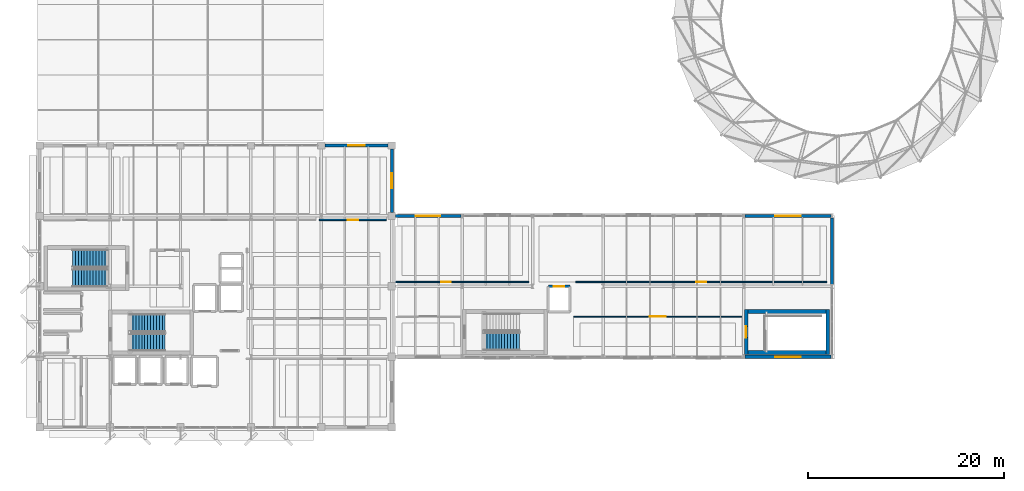
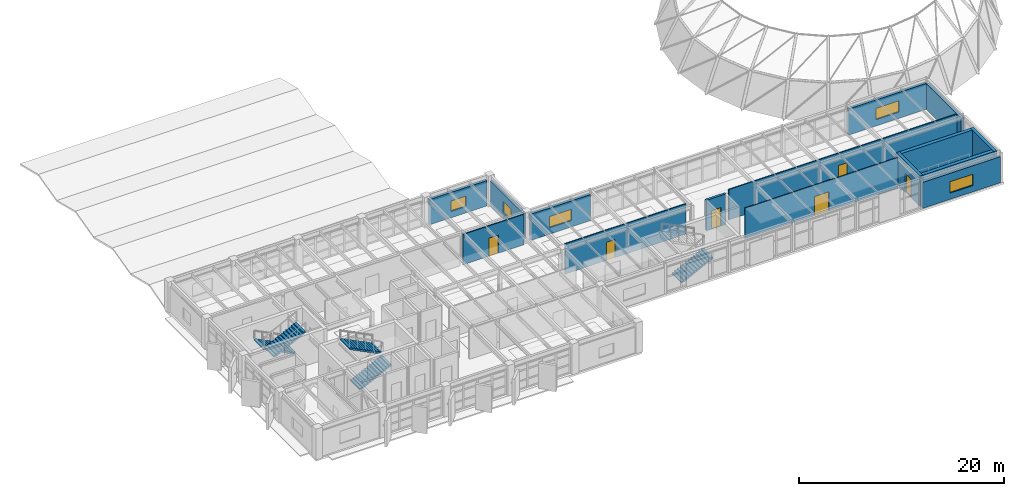
# One storey, part 33 of 48: 15 walls, 6 doors, 5 stair flights, 5 windows, 11 openings, 3 elements without a shape of their own.
"""IFC4 building model written with IfcOpenShell, lengths in metres."""

from ifc_helpers import new_model, si_unit, direction, frame, frame_2d, origin, place, context, subcontext, project, spatial, polyline, rectangle, outline, extrude, material, layer, layer_set, type_object, element, fill, aggregate, save


model = new_model("IFC4")

# Units and contexts
model_context = context("Model", 3, precision=1e-05, world=origin(), true_north=direction((0.0, 1.0)))
body_context = subcontext(model_context, "Body", "Model", "MODEL_VIEW")
ifc_project = project(units=[si_unit("LENGTHUNIT", "METRE"), si_unit("AREAUNIT", "SQUARE_METRE"), si_unit("VOLUMEUNIT", "CUBIC_METRE"), si_unit("PLANEANGLEUNIT", "RADIAN"), si_unit("MASSUNIT", "GRAM", prefix="KILO")], contexts=[model_context])

# Site, building, storey
site_placement = place(None, origin())
site = spatial("IfcSite", under=ifc_project, at=site_placement, CompositionType="ELEMENT")
building_placement = place(site_placement, origin())
building = spatial("IfcBuilding", under=site, at=building_placement, Name="Kandorven Conservatory and Botanical Research Centre", CompositionType="ELEMENT")
storey_placement = place(building_placement, frame((0.0, 0.0, 13.199951171875)))
storey = spatial("IfcBuildingStorey", under=building, at=storey_placement, Name="L03", CompositionType="ELEMENT", Elevation=13.199951171875)

# Walls
ifc_material_1 = material(Name="Concrete C40/50 (M50)", Category="concrete")
ifc_layer_1 = layer(ifc_material_1, 0.39990234375)
ifc_layer_set_1 = layer_set([ifc_layer_1], Name="Concrete C40/50 (M50)")
wall_type_1 = type_object("IfcWallType", Name="Wall_CW-RC-1", PredefinedType="SHEAR", material=ifc_layer_set_1)
for number, where, z_axis, x_axis, name in (
    (1, (78.39990234375, 13.64501953125, 0.0), (0.0, 0.0, 1.0), (1.0, 0.0, 0.0), "Core stair shear wall CW-RC-1 ST-V3B L03 side A"),
    (2, (78.39990234375, 17.844970703125, 0.0), (0.0, 0.0, 1.0), (1.0, 0.0, 0.0), "Core stair shear wall CW-RC-1 ST-V3B L03 side B"),
):
    element("IfcWall", number, at=place(storey_placement, frame(where, z_axis=z_axis, x_axis=x_axis)), inside=storey, type_object=wall_type_1, Name=name, PredefinedType="SHEAR", context=body_context, shape_type="SweptSolid", body=[
        extrude(rectangle(XDim=7.97998046875, YDim=0.39990234375, at=frame_2d((3.989990234375, 0.0))), origin(), (0.0, 0.0, 1.0), 3.635009765625),
    ])

# Wall, opening, door
ifc_material_2 = material(Name="Concrete C40/50 (M50)", Category="concrete")
ifc_layer_2 = layer(ifc_material_2, 0.35009765625)
ifc_layer_set_2 = layer_set([ifc_layer_2], Name="Concrete C40/50 (M50)")
wall_type_2 = type_object("IfcWallType", Name="Wall_CW-RC-2", PredefinedType="SHEAR", material=ifc_layer_set_2)
wall_1_placement = place(storey_placement, frame((78.22509765625, 13.449951171875, 0.0), z_axis=(0.0, 0.0, 1.0), x_axis=(0.0, 1.0, 0.0)))
wall_1 = element("IfcWall", 3, at=wall_1_placement, inside=storey, type_object=wall_type_2, Name="Core stair shear wall CW-RC-2 ST-V3B L03 entry", PredefinedType="SHEAR", context=body_context, shape_type="SweptSolid", body=[
    extrude(rectangle(XDim=4.590087890625, YDim=0.35009765625, at=frame_2d((2.294921875, 0.0))), origin(), (0.0, 0.0, 1.0), 3.635009765625),
])
opening_1_placement = place(wall_1_placement, frame((1.719970703125, 0.0, 0.0)))
opening_1 = element("IfcOpeningElement", 4, at=opening_1_placement, cuts=wall_1, Name="Opening FD-2", PredefinedType="OPENING", context=body_context, shape_type="SweptSolid", body=[
    extrude(rectangle(XDim=1.14990234375, YDim=2.199951171875, at=frame_2d((0.574951171875, 1.10009765625))), frame((0.0, 0.18505859375, 0.0), z_axis=(0.0, -1.0, 0.0), x_axis=(1.0, 0.0, 0.0)), (0.0, 0.0, 1.0), 0.3701171875),
])
ifc_material_3 = material(Name="Galvanised hollow steel fire door assembly", Category="steel")
door_type_1 = type_object("IfcDoorType", Name="Door_FD-2", OperationType="NOTDEFINED", PredefinedType="DOOR", material=ifc_material_3)
door_1_placement = place(opening_1_placement, origin())
door_1 = element("IfcDoor", 5, at=door_1_placement, inside=storey, type_object=door_type_1, Name="Exit stair fire door FD-2 ST-V3B L03", OperationType="SINGLE_SWING_RIGHT", OverallHeight=2.199951171875, OverallWidth=1.14990234375, PredefinedType="DOOR", context=body_context, shape_type="SweptSolid", body=[
    extrude(rectangle(XDim=1.14990234375, YDim=2.199951171875, at=frame_2d((0.574951171875, 1.10009765625))), frame((0.0, 0.02490234375, 0.0), z_axis=(0.0, -1.0, 0.0), x_axis=(1.0, 0.0, 0.0)), (0.0, 0.0, 1.0), 0.050048828125),
])
fill(opening_1, door_1)

# Wall
wall_2_placement = place(storey_placement, frame((86.554931640625, 13.449951171875, 0.0), z_axis=(0.0, 0.0, 1.0), x_axis=(0.0, 1.0, 0.0)))
element("IfcWall", 6, at=wall_2_placement, inside=storey, type_object=wall_type_2, Name="Core stair shear wall CW-RC-2 ST-V3B L03 far", PredefinedType="SHEAR", context=body_context, shape_type="SweptSolid", body=[
    extrude(rectangle(XDim=4.590087890625, YDim=0.35009765625, at=frame_2d((2.294921875, 0.0))), origin(), (0.0, 0.0, 1.0), 3.635009765625),
])

# Wall, opening, door
wall_3_placement = place(storey_placement, frame((58.0, 20.39990234375, 0.0), z_axis=(0.0, 0.0, 1.0), x_axis=(1.0, 0.0, 0.0)))
wall_3 = element("IfcWall", 7, at=wall_3_placement, inside=storey, type_object=wall_type_2, Name="Lift shaft wall VL-1 L03 N", PredefinedType="SHEAR", context=body_context, shape_type="SweptSolid", body=[
    extrude(rectangle(XDim=2.199951171875, YDim=0.25, at=frame_2d((1.10009765625, 0.0))), origin(), (0.0, 0.0, 1.0), 3.635009765625),
])
opening_2_placement = place(wall_3_placement, frame((0.550048828125, 0.0, 0.0)))
opening_2 = element("IfcOpeningElement", 8, at=opening_2_placement, cuts=wall_3, Name="Opening LD-01", PredefinedType="OPENING", context=body_context, shape_type="SweptSolid", body=[
    extrude(rectangle(XDim=1.10009765625, YDim=2.199951171875, at=frame_2d((0.550048828125, 1.10009765625))), frame((0.0, 0.135009765625, 0.0), z_axis=(0.0, -1.0, 0.0), x_axis=(1.0, 0.0, 0.0)), (0.0, 0.0, 1.0), 0.27001953125),
])
ifc_material_4 = material(Name="Anodised aluminium sliding landing door", Category="aluminium")
door_type_2 = type_object("IfcDoorType", Name="Door_LD-01", OperationType="DOUBLE_DOOR_SLIDING", PredefinedType="DOOR", material=ifc_material_4)
door_2_placement = place(opening_2_placement, origin())
door_2 = element("IfcDoor", 9, at=door_2_placement, inside=storey, type_object=door_type_2, Name="Lift landing sliding door LD-01 (VL-1 L03)", OperationType="DOUBLE_DOOR_SLIDING", OverallHeight=2.199951171875, OverallWidth=1.10009765625, PredefinedType="DOOR", context=body_context, shape_type="SweptSolid", body=[
    extrude(rectangle(XDim=1.10009765625, YDim=2.199951171875, at=frame_2d((0.550048828125, 1.10009765625))), frame((0.0, 0.02490234375, 0.0), z_axis=(0.0, -1.0, 0.0), x_axis=(1.0, 0.0, 0.0)), (0.0, 0.0, 1.0), 0.050048828125),
])
fill(opening_2, door_2)

# Wall, opening, window
ifc_material_5 = material(Name="Concrete C32/40 (M40)", Category="concrete")
ifc_layer_3 = layer(ifc_material_5, 0.340087890625)
ifc_layer_set_3 = layer_set([ifc_layer_3], Name="Concrete C32/40 (M40)")
wall_type_3 = type_object("IfcWallType", Name="Wall_EW-02", PredefinedType="STANDARD", material=ifc_layer_set_3)
wall_4_placement = place(storey_placement, frame((42.375, 27.60009765625, 0.0), z_axis=(0.0, 0.0, 1.0), x_axis=(1.0, 0.0, 0.0)))
wall_4 = element("IfcWall", 10, at=wall_4_placement, inside=storey, type_object=wall_type_3, Name="Visitor centre concrete wall EW-02 N L03", PredefinedType="STANDARD", context=body_context, shape_type="SweptSolid", body=[
    extrude(rectangle(XDim=6.699951171875, YDim=0.340087890625, at=frame_2d((3.35009765625, 0.0))), origin(), (0.0, 0.0, 1.0), 3.10009765625),
])
opening_3_placement = place(wall_4_placement, frame((2.10009765625, 0.0, 0.75)))
opening_3 = element("IfcOpeningElement", 11, at=opening_3_placement, cuts=wall_4, Name="Opening W-38", PredefinedType="OPENING", context=body_context, shape_type="SweptSolid", body=[
    extrude(rectangle(XDim=2.5, YDim=1.35009765625, at=frame_2d((1.25, 0.675048828125))), frame((0.0, 0.179931640625, 0.0), z_axis=(0.0, -1.0, 0.0), x_axis=(1.0, 0.0, 0.0)), (0.0, 0.0, 1.0), 0.360107421875),
])
ifc_material_6 = material(Name="Double-glazed solar-control low-E glass", Category="glass")
window_type_1 = type_object("IfcWindowType", Name="Win_W-38", PartitioningType="DOUBLE_PANEL_VERTICAL", PredefinedType="WINDOW", material=ifc_material_6)
window_1_placement = place(opening_3_placement, origin())
window_1 = element("IfcWindow", 12, at=window_1_placement, inside=storey, type_object=window_type_1, Name="Visitor wing deep-reveal window W-38", OverallHeight=1.35009765625, OverallWidth=2.5, PartitioningType="SINGLE_PANEL", PredefinedType="WINDOW", context=body_context, shape_type="SweptSolid", body=[
    extrude(rectangle(XDim=2.5, YDim=1.35009765625, at=frame_2d((1.25, 0.675048828125))), frame((0.0, 0.030029296875, 0.0), z_axis=(0.0, -1.0, 0.0), x_axis=(1.0, 0.0, 0.0)), (0.0, 0.0, 1.0), 0.06005859375),
])
fill(opening_3, window_1)

ifc_material_7 = material(Name="Concrete C32/40 (M40)", Category="concrete")
ifc_layer_4 = layer(ifc_material_7, 0.320068359375)
ifc_layer_set_4 = layer_set([ifc_layer_4], Name="Concrete C32/40 (M40)")
wall_type_4 = type_object("IfcWallType", Name="Wall_EW-03", PredefinedType="STANDARD", material=ifc_layer_set_4)
wall_5_placement = place(storey_placement, frame((78.125, 13.199951171875, 0.0), z_axis=(0.0, 0.0, 1.0), x_axis=(1.0, 0.0, 0.0)))
wall_5 = element("IfcWall", 13, at=wall_5_placement, inside=storey, type_object=wall_type_4, Name="Visitor centre concrete wall EW-03 S L03", PredefinedType="STANDARD", context=body_context, shape_type="SweptSolid", body=[
    extrude(rectangle(XDim=8.75, YDim=0.320068359375, at=frame_2d((4.375, 0.0))), origin(), (0.0, 0.0, 1.0), 3.10009765625),
])
opening_4_placement = place(wall_5_placement, frame((3.074951171875, 0.0, 0.75)))
opening_4 = element("IfcOpeningElement", 14, at=opening_4_placement, cuts=wall_5, Name="Opening W-25", PredefinedType="OPENING", context=body_context, shape_type="SweptSolid", body=[
    extrude(rectangle(XDim=2.60009765625, YDim=1.35009765625, at=frame_2d((1.300048828125, 0.675048828125))), frame((0.0, 0.169921875, 0.0), z_axis=(0.0, -1.0, 0.0), x_axis=(1.0, 0.0, 0.0)), (0.0, 0.0, 1.0), 0.340087890625),
])
ifc_material_8 = material(Name="Double-glazed solar-control low-E glass", Category="glass")
window_type_2 = type_object("IfcWindowType", Name="Win_W-25", PartitioningType="DOUBLE_PANEL_VERTICAL", PredefinedType="WINDOW", material=ifc_material_8)
window_2_placement = place(opening_4_placement, origin())
window_2 = element("IfcWindow", 15, at=window_2_placement, inside=storey, type_object=window_type_2, Name="Visitor wing deep-reveal window W-25", OverallHeight=1.35009765625, OverallWidth=2.60009765625, PartitioningType="SINGLE_PANEL", PredefinedType="WINDOW", context=body_context, shape_type="SweptSolid", body=[
    extrude(rectangle(XDim=2.60009765625, YDim=1.35009765625, at=frame_2d((1.300048828125, 0.675048828125))), frame((0.0, 0.030029296875, 0.0), z_axis=(0.0, -1.0, 0.0), x_axis=(1.0, 0.0, 0.0)), (0.0, 0.0, 1.0), 0.06005859375),
])
fill(opening_4, window_2)

wall_6_placement = place(storey_placement, frame((78.125, 27.60009765625, 0.0), z_axis=(0.0, 0.0, 1.0), x_axis=(1.0, 0.0, 0.0)))
wall_6 = element("IfcWall", 16, at=wall_6_placement, inside=storey, type_object=wall_type_4, Name="Visitor centre concrete wall EW-03 N L03", PredefinedType="STANDARD", context=body_context, shape_type="SweptSolid", body=[
    extrude(rectangle(XDim=8.75, YDim=0.320068359375, at=frame_2d((4.375, 0.0))), origin(), (0.0, 0.0, 1.0), 3.10009765625),
])
opening_5_placement = place(wall_6_placement, frame((3.074951171875, 0.0, 0.75)))
opening_5 = element("IfcOpeningElement", 17, at=opening_5_placement, cuts=wall_6, Name="Opening W-25", PredefinedType="OPENING", context=body_context, shape_type="SweptSolid", body=[
    extrude(rectangle(XDim=2.60009765625, YDim=1.35009765625, at=frame_2d((1.300048828125, 0.675048828125))), frame((0.0, 0.169921875, 0.0), z_axis=(0.0, -1.0, 0.0), x_axis=(1.0, 0.0, 0.0)), (0.0, 0.0, 1.0), 0.340087890625),
])
window_3_placement = place(opening_5_placement, origin())
window_3 = element("IfcWindow", 18, at=window_3_placement, inside=storey, type_object=window_type_2, Name="Visitor wing deep-reveal window W-25", OverallHeight=1.35009765625, OverallWidth=2.60009765625, PartitioningType="SINGLE_PANEL", PredefinedType="WINDOW", context=body_context, shape_type="SweptSolid", body=[
    extrude(rectangle(XDim=2.60009765625, YDim=1.35009765625, at=frame_2d((1.300048828125, 0.675048828125))), frame((0.0, 0.030029296875, 0.0), z_axis=(0.0, -1.0, 0.0), x_axis=(1.0, 0.0, 0.0)), (0.0, 0.0, 1.0), 0.06005859375),
])
fill(opening_5, window_3)

# Wall
wall_7_placement = place(storey_placement, frame((87.0, 20.60009765625, 0.0), z_axis=(0.0, 0.0, 1.0), x_axis=(0.0, 1.0, 0.0)))
element("IfcWall", 19, at=wall_7_placement, inside=storey, type_object=wall_type_4, Name="Visitor wing east end wall EW-03 L03", PredefinedType="STANDARD", context=body_context, shape_type="SweptSolid", body=[
    extrude(rectangle(XDim=6.7998046875, YDim=0.320068359375, at=frame_2d((3.39990234375, 0.0))), origin(), (0.0, 0.0, 1.0), 3.10009765625),
])

# Wall, opening, window
wall_8_placement = place(storey_placement, frame((35.175048828125, 34.800048828125, 0.0), z_axis=(0.0, 0.0, 1.0), x_axis=(1.0, 0.0, 0.0)))
wall_8 = element("IfcWall", 20, at=wall_8_placement, inside=storey, type_object=wall_type_4, Name="Tower concrete facade wall EW-03 N L03", PredefinedType="STANDARD", context=body_context, shape_type="SweptSolid", body=[
    extrude(rectangle(XDim=6.449951171875, YDim=0.320068359375, at=frame_2d((3.22509765625, 0.0))), origin(), (0.0, 0.0, 1.0), 3.01513671875),
])
opening_6_placement = place(wall_8_placement, frame((2.375, 0.0, 0.75)))
opening_6 = element("IfcOpeningElement", 21, at=opening_6_placement, cuts=wall_8, Name="Opening W-47", PredefinedType="OPENING", context=body_context, shape_type="SweptSolid", body=[
    extrude(rectangle(XDim=1.699951171875, YDim=1.25, at=frame_2d((0.85009765625, 0.625))), frame((0.0, 0.169921875, 0.0), z_axis=(0.0, -1.0, 0.0), x_axis=(1.0, 0.0, 0.0)), (0.0, 0.0, 1.0), 0.340087890625),
])
ifc_material_9 = material(Name="Double-glazed solar-control low-E glass", Category="glass")
window_type_3 = type_object("IfcWindowType", Name="Win_W-47", PartitioningType="DOUBLE_PANEL_VERTICAL", PredefinedType="WINDOW", material=ifc_material_9)
window_4_placement = place(opening_6_placement, origin())
window_4 = element("IfcWindow", 22, at=window_4_placement, inside=storey, type_object=window_type_3, Name="Tower recessed solar window W-47", OverallHeight=1.25, OverallWidth=1.699951171875, PartitioningType="SINGLE_PANEL", PredefinedType="WINDOW", context=body_context, shape_type="SweptSolid", body=[
    extrude(rectangle(XDim=1.699951171875, YDim=1.25, at=frame_2d((0.85009765625, 0.625))), frame((0.0, 0.030029296875, 0.0), z_axis=(0.0, -1.0, 0.0), x_axis=(1.0, 0.0, 0.0)), (0.0, 0.0, 1.0), 0.06005859375),
])
fill(opening_6, window_4)

ifc_material_10 = material(Name="Concrete C32/40 (M40)", Category="concrete")
ifc_layer_5 = layer(ifc_material_10, 0.300048828125)
ifc_layer_set_5 = layer_set([ifc_layer_5], Name="Concrete C32/40 (M40)")
wall_type_5 = type_object("IfcWallType", Name="Wall_EW-04", PredefinedType="STANDARD", material=ifc_layer_set_5)
wall_9_placement = place(storey_placement, frame((42.0, 27.97509765625, 0.0), z_axis=(0.0, 0.0, 1.0), x_axis=(0.0, 1.0, 0.0)))
wall_9 = element("IfcWall", 23, at=wall_9_placement, inside=storey, type_object=wall_type_5, Name="Tower concrete facade wall EW-04 E L03", PredefinedType="STANDARD", context=body_context, shape_type="SweptSolid", body=[
    extrude(rectangle(XDim=6.449951171875, YDim=0.300048828125, at=frame_2d((3.22509765625, 0.0))), origin(), (0.0, 0.0, 1.0), 3.01513671875),
])
opening_7_placement = place(wall_9_placement, frame((2.449951171875, 0.0, 0.75)))
opening_7 = element("IfcOpeningElement", 24, at=opening_7_placement, cuts=wall_9, Name="Opening W-33", PredefinedType="OPENING", context=body_context, shape_type="SweptSolid", body=[
    extrude(rectangle(XDim=1.550048828125, YDim=1.35009765625, at=frame_2d((0.77490234375, 0.675048828125))), frame((0.0, 0.159912109375, 0.0), z_axis=(0.0, -1.0, 0.0), x_axis=(1.0, 0.0, 0.0)), (0.0, 0.0, 1.0), 0.320068359375),
])
ifc_material_11 = material(Name="Double-glazed solar-control low-E glass", Category="glass")
window_type_4 = type_object("IfcWindowType", Name="Win_W-33", PartitioningType="DOUBLE_PANEL_VERTICAL", PredefinedType="WINDOW", material=ifc_material_11)
window_5_placement = place(opening_7_placement, origin())
window_5 = element("IfcWindow", 25, at=window_5_placement, inside=storey, type_object=window_type_4, Name="Tower recessed solar window W-33", OverallHeight=1.35009765625, OverallWidth=1.550048828125, PartitioningType="SINGLE_PANEL", PredefinedType="WINDOW", context=body_context, shape_type="SweptSolid", body=[
    extrude(rectangle(XDim=1.550048828125, YDim=1.35009765625, at=frame_2d((0.77490234375, 0.675048828125))), frame((0.0, 0.030029296875, 0.0), z_axis=(0.0, -1.0, 0.0), x_axis=(1.0, 0.0, 0.0)), (0.0, 0.0, 1.0), 0.06005859375),
])
fill(opening_7, window_5)

# Wall, opening, door
ifc_material_12 = material(Name="Fire-rated acoustic gypsum board partition", Category="gypsum")
ifc_layer_6 = layer(ifc_material_12, 0.10009765625)
ifc_layer_set_6 = layer_set([ifc_layer_6], Name="Fire-rated acoustic gypsum board partition")
wall_type_6 = type_object("IfcWallType", Name="Wall_IW-10", PredefinedType="PARTITIONING", material=ifc_layer_set_6)
wall_10_placement = place(storey_placement, frame((60.60009765625, 17.300048828125, 0.0), z_axis=(0.0, 0.0, 1.0), x_axis=(1.0, 0.0, 0.0)))
wall_10 = element("IfcWall", 26, at=wall_10_placement, inside=storey, type_object=wall_type_6, Name="Interior partition wall IW-10 (Botanical Reading Library)", PredefinedType="PARTITIONING", context=body_context, shape_type="SweptSolid", body=[
    extrude(rectangle(XDim=17.199951171875, YDim=0.10009765625, at=frame_2d((8.60009765625, 0.0))), origin(), (0.0, 0.0, 1.0), 3.614990234375),
])
opening_8_placement = place(wall_10_placement, frame((7.7900390625, 0.0, 0.0)))
opening_8 = element("IfcOpeningElement", 27, at=opening_8_placement, cuts=wall_10, Name="Opening D-27", PredefinedType="OPENING", context=body_context, shape_type="SweptSolid", body=[
    extrude(rectangle(XDim=1.6201171875, YDim=2.280029296875, at=frame_2d((0.81005859375, 1.14013671875))), frame((0.0, 0.06005859375, 0.0), z_axis=(0.0, -1.0, 0.0), x_axis=(1.0, 0.0, 0.0)), (0.0, 0.0, 1.0), 0.1201171875),
])
ifc_material_13 = material(Name="Solid core acoustic teak-veneered timber leaf", Category="wood")
door_type_3 = type_object("IfcDoorType", Name="Door_D-27", OperationType="NOTDEFINED", PredefinedType="DOOR", material=ifc_material_13)
door_3_placement = place(opening_8_placement, origin())
door_3 = element("IfcDoor", 28, at=door_3_placement, inside=storey, type_object=door_type_3, Name="Interior door D-27 to Botanical Reading Library", OperationType="DOUBLE_DOOR_SINGLE_SWING", OverallHeight=2.280029296875, OverallWidth=1.6201171875, PredefinedType="DOOR", context=body_context, shape_type="SweptSolid", body=[
    extrude(rectangle(XDim=1.6201171875, YDim=2.280029296875, at=frame_2d((0.81005859375, 1.14013671875))), frame((0.0, 0.02490234375, 0.0), z_axis=(0.0, -1.0, 0.0), x_axis=(1.0, 0.0, 0.0)), (0.0, 0.0, 1.0), 0.050048828125),
])
fill(opening_8, door_3)

ifc_material_14 = material(Name="Fire-rated acoustic gypsum board partition", Category="gypsum")
ifc_layer_7 = layer(ifc_material_14, 0.114013671875)
ifc_layer_set_7 = layer_set([ifc_layer_7], Name="Fire-rated acoustic gypsum board partition")
wall_type_7 = type_object("IfcWallType", Name="Wall_IW-12", PredefinedType="PARTITIONING", material=ifc_layer_set_7)
wall_11_placement = place(storey_placement, frame((42.39990234375, 20.85009765625, 0.0), z_axis=(0.0, 0.0, 1.0), x_axis=(1.0, 0.0, 0.0)))
wall_11 = element("IfcWall", 29, at=wall_11_placement, inside=storey, type_object=wall_type_7, Name="Interior partition wall IW-12 (Botanical Periodicals and Rare Atlas Reading Hall)", PredefinedType="PARTITIONING", context=body_context, shape_type="SweptSolid", body=[
    extrude(rectangle(XDim=13.60009765625, YDim=0.114013671875, at=frame_2d((6.800048828125, 0.0))), origin(), (0.0, 0.0, 1.0), 3.614990234375),
])
opening_9_placement = place(wall_11_placement, frame((4.652587890625, 0.0, 0.0)))
opening_9 = element("IfcOpeningElement", 30, at=opening_9_placement, cuts=wall_11, Name="Opening D-01", PredefinedType="OPENING", context=body_context, shape_type="SweptSolid", body=[
    extrude(rectangle(XDim=0.949951171875, YDim=2.14990234375, at=frame_2d((0.47509765625, 1.074951171875))), frame((0.0, 0.06689453125, 0.0), z_axis=(0.0, -1.0, 0.0), x_axis=(1.0, 0.0, 0.0)), (0.0, 0.0, 1.0), 0.134033203125),
])
ifc_material_15 = material(Name="Solid core acoustic teak-veneered timber leaf", Category="wood")
door_type_4 = type_object("IfcDoorType", Name="Door_D-01", OperationType="NOTDEFINED", PredefinedType="DOOR", material=ifc_material_15)
door_4_placement = place(opening_9_placement, frame((0.949951171875, 0.0, 0.0), z_axis=(0.0, 0.0, 1.0), x_axis=(-1.0, 0.0, 0.0)))
door_4 = element("IfcDoor", 31, at=door_4_placement, inside=storey, type_object=door_type_4, Name="Interior door D-01 to Botanical Periodicals and Rare Atlas Reading Hall", OperationType="SINGLE_SWING_LEFT", OverallHeight=2.14990234375, OverallWidth=0.949951171875, PredefinedType="DOOR", context=body_context, shape_type="SweptSolid", body=[
    extrude(rectangle(XDim=0.949951171875, YDim=2.14990234375, at=frame_2d((0.47509765625, 1.074951171875))), frame((0.0, 0.02490234375, 0.0), z_axis=(0.0, -1.0, 0.0), x_axis=(1.0, 0.0, 0.0)), (0.0, 0.0, 1.0), 0.050048828125),
])
fill(opening_9, door_4)

ifc_material_16 = material(Name="Fire-rated acoustic gypsum board partition", Category="gypsum")
ifc_layer_8 = layer(ifc_material_16, 0.1259765625)
ifc_layer_set_8 = layer_set([ifc_layer_8], Name="Fire-rated acoustic gypsum board partition")
wall_type_8 = type_object("IfcWallType", Name="Wall_IW-13", PredefinedType="PARTITIONING", material=ifc_layer_set_8)
wall_12_placement = place(storey_placement, frame((60.800048828125, 20.85009765625, 0.0), z_axis=(0.0, 0.0, 1.0), x_axis=(1.0, 0.0, 0.0)))
wall_12 = element("IfcWall", 32, at=wall_12_placement, inside=storey, type_object=wall_type_8, Name="Interior partition wall IW-13 (Botanical Cartography and Illustration Studio)", PredefinedType="PARTITIONING", context=body_context, shape_type="SweptSolid", body=[
    extrude(rectangle(XDim=25.64990234375, YDim=0.1259765625, at=frame_2d((12.824951171875, 0.0))), origin(), (0.0, 0.0, 1.0), 3.614990234375),
])
opening_10_placement = place(wall_12_placement, frame((12.324951171875, 0.0, 0.0)))
opening_10 = element("IfcOpeningElement", 33, at=opening_10_placement, cuts=wall_12, Name="Opening D-02", PredefinedType="OPENING", context=body_context, shape_type="SweptSolid", body=[
    extrude(rectangle(XDim=1.0, YDim=2.14990234375, at=frame_2d((0.5, 1.074951171875))), frame((0.0, 0.072998046875, 0.0), z_axis=(0.0, -1.0, 0.0), x_axis=(1.0, 0.0, 0.0)), (0.0, 0.0, 1.0), 0.14599609375),
])
ifc_material_17 = material(Name="Solid core acoustic teak-veneered timber leaf", Category="wood")
door_type_5 = type_object("IfcDoorType", Name="Door_D-02", OperationType="NOTDEFINED", PredefinedType="DOOR", material=ifc_material_17)
door_5_placement = place(opening_10_placement, origin())
door_5 = element("IfcDoor", 34, at=door_5_placement, inside=storey, type_object=door_type_5, Name="Interior door D-02 to Botanical Cartography and Illustration Studio", OperationType="SINGLE_SWING_RIGHT", OverallHeight=2.14990234375, OverallWidth=1.0, PredefinedType="DOOR", context=body_context, shape_type="SweptSolid", body=[
    extrude(rectangle(XDim=1.0, YDim=2.14990234375, at=frame_2d((0.5, 1.074951171875))), frame((0.0, 0.02490234375, 0.0), z_axis=(0.0, -1.0, 0.0), x_axis=(1.0, 0.0, 0.0)), (0.0, 0.0, 1.0), 0.050048828125),
])
fill(opening_10, door_5)

ifc_material_18 = material(Name="Fire-rated acoustic gypsum board partition", Category="gypsum")
ifc_layer_9 = layer(ifc_material_18, 0.135986328125)
ifc_layer_set_9 = layer_set([ifc_layer_9], Name="Fire-rated acoustic gypsum board partition")
wall_type_9 = type_object("IfcWallType", Name="Wall_IW-14", PredefinedType="PARTITIONING", material=ifc_layer_set_9)
wall_13_placement = place(storey_placement, frame((34.60009765625, 27.199951171875, 0.0), z_axis=(0.0, 0.0, 1.0), x_axis=(1.0, 0.0, 0.0)))
wall_13 = element("IfcWall", 35, at=wall_13_placement, inside=storey, type_object=wall_type_9, Name="Interior partition wall IW-14 (Ethnobotany Herbarium Seminar Studio L03)", PredefinedType="PARTITIONING", context=body_context, shape_type="SweptSolid", body=[
    extrude(rectangle(XDim=6.849853515625, YDim=0.135986328125, at=frame_2d((3.4248046875, 0.0))), origin(), (0.0, 0.0, 1.0), 3.614990234375),
])
opening_11_placement = place(wall_13_placement, frame((2.89990234375, 0.0, 0.0)))
opening_11 = element("IfcOpeningElement", 36, at=opening_11_placement, cuts=wall_13, Name="Opening D-03", PredefinedType="OPENING", context=body_context, shape_type="SweptSolid", body=[
    extrude(rectangle(XDim=1.050048828125, YDim=2.14990234375, at=frame_2d((0.52490234375, 1.074951171875))), frame((0.0, 0.077880859375, 0.0), z_axis=(0.0, -1.0, 0.0), x_axis=(1.0, 0.0, 0.0)), (0.0, 0.0, 1.0), 0.156005859375),
])
ifc_material_19 = material(Name="Solid core acoustic teak-veneered timber leaf", Category="wood")
door_type_6 = type_object("IfcDoorType", Name="Door_D-03", OperationType="NOTDEFINED", PredefinedType="DOOR", material=ifc_material_19)
door_6_placement = place(opening_11_placement, origin())
door_6 = element("IfcDoor", 37, at=door_6_placement, inside=storey, type_object=door_type_6, Name="Interior door D-03 to Ethnobotany Herbarium Seminar Studio L03", OperationType="SINGLE_SWING_LEFT", OverallHeight=2.14990234375, OverallWidth=1.050048828125, PredefinedType="DOOR", context=body_context, shape_type="SweptSolid", body=[
    extrude(rectangle(XDim=1.050048828125, YDim=2.14990234375, at=frame_2d((0.52490234375, 1.074951171875))), frame((0.0, 0.02490234375, 0.0), z_axis=(0.0, -1.0, 0.0), x_axis=(1.0, 0.0, 0.0)), (0.0, 0.0, 1.0), 0.050048828125),
])
fill(opening_11, door_6)

# Stair, stair flights
ifc_material_20 = material(Name="Concrete C32/40 (M40)", Category="concrete")
stair_type = type_object("IfcStairType", Name="Stair_1820", PredefinedType="HALF_TURN_STAIR", material=ifc_material_20)
stair_1_placement = place(storey_placement, origin())
stair_1 = element("IfcStair", 38, at=stair_1_placement, inside=storey, type_object=stair_type, Name="L03 Tower Fire Stair ST-T1", PredefinedType="HALF_TURN_STAIR")
ifc_material_21 = material(Name="Concrete C32/40 (M40)", Category="concrete")
ifc_layer_10 = layer(ifc_material_21, 0.14990234375)
ifc_layer_set_10 = layer_set([ifc_layer_10], Name="Concrete C32/40 (M40)")
stair_flight_type = type_object("IfcStairFlightType", Name="Flight_1820", PredefinedType="STRAIGHT", material=ifc_layer_set_10)
stair_flight_1_placement = place(storey_placement, frame((15.239990234375, 14.68994140625, 0.0), z_axis=(0.0, 0.0, 1.0), x_axis=(1.0, 0.0, 0.0)))
stair_flight_1 = element("IfcStairFlight", 39, at=stair_flight_1_placement, type_object=stair_flight_type, Name="ST-T1 flight 1", NumberOfRisers=13, NumberOfTreads=12, PredefinedType="STRAIGHT", RiserHeight=0.15, TreadLength=0.3, context=body_context, shape_type="SweptSolid", body=[
    extrude(outline(polyline([(0.0, 0.0), (0.0, 0.14990234375), (0.300048828125, 0.14990234375), (0.300048828125, 0.300048828125), (0.60009765625, 0.300048828125), (0.60009765625, 0.449951171875), (0.89990234375, 0.449951171875), (0.89990234375, 0.60009765625), (1.199951171875, 0.60009765625), (1.199951171875, 0.75), (1.5, 0.75), (1.5, 0.89990234375), (1.800048828125, 0.89990234375), (1.800048828125, 1.050048828125), (2.10009765625, 1.050048828125), (2.10009765625, 1.199951171875), (2.39990234375, 1.199951171875), (2.39990234375, 1.35009765625), (2.699951171875, 1.35009765625), (2.699951171875, 1.5), (3.0, 1.5), (3.0, 1.64990234375), (3.300048828125, 1.64990234375), (3.300048828125, 1.800048828125), (3.60009765625, 1.800048828125), (3.60009765625, 1.949951171875), (3.60009765625, 1.63232421875), (0.335205078125, 0.0), (0.0, 0.0)])), frame((0.0, 0.91015625, 0.0), z_axis=(0.0, -1.0, 0.0), x_axis=(1.0, 0.0, 0.0)), (0.0, 0.0, 1.0), 1.820068359375),
])
stair_flight_2_placement = place(storey_placement, frame((18.839599609375, 16.659912109375, 1.949951171875), z_axis=(0.0, 0.0, 1.0), x_axis=(-1.0, 0.0, 0.0)))
stair_flight_2 = element("IfcStairFlight", 40, at=stair_flight_2_placement, type_object=stair_flight_type, Name="ST-T1 flight 2", NumberOfRisers=13, NumberOfTreads=12, PredefinedType="STRAIGHT", RiserHeight=0.15, TreadLength=0.3, context=body_context, shape_type="SweptSolid", body=[
    extrude(outline(polyline([(0.0, 0.0), (0.0, 0.14990234375), (0.300048828125, 0.14990234375), (0.300048828125, 0.300048828125), (0.60009765625, 0.300048828125), (0.60009765625, 0.449951171875), (0.89990234375, 0.449951171875), (0.89990234375, 0.60009765625), (1.199951171875, 0.60009765625), (1.199951171875, 0.75), (1.5, 0.75), (1.5, 0.89990234375), (1.800048828125, 0.89990234375), (1.800048828125, 1.050048828125), (2.10009765625, 1.050048828125), (2.10009765625, 1.199951171875), (2.39990234375, 1.199951171875), (2.39990234375, 1.35009765625), (2.699951171875, 1.35009765625), (2.699951171875, 1.5), (3.0, 1.5), (3.0, 1.64990234375), (3.300048828125, 1.64990234375), (3.300048828125, 1.800048828125), (3.60009765625, 1.800048828125), (3.60009765625, 1.949951171875), (3.60009765625, 1.63232421875), (0.335205078125, 0.0), (0.0, 0.0)])), frame((0.0, 0.91015625, 0.0), z_axis=(0.0, -1.0, 0.0), x_axis=(1.0, 0.0, 0.0)), (0.0, 0.0, 1.0), 1.820068359375),
])
aggregate(stair_1, [stair_flight_1, stair_flight_2])

stair_2_placement = place(storey_placement, origin())
stair_2 = element("IfcStair", 41, at=stair_2_placement, inside=storey, type_object=stair_type, Name="L03 Tower Fire Stair ST-T2", PredefinedType="HALF_TURN_STAIR")
stair_flight_3_placement = place(storey_placement, frame((12.9599609375, 23.239990234375, 0.0), z_axis=(0.0, 0.0, 1.0), x_axis=(-1.0, 0.0, 0.0)))
stair_flight_3 = element("IfcStairFlight", 42, at=stair_flight_3_placement, type_object=stair_flight_type, Name="ST-T2 flight 1", NumberOfRisers=13, NumberOfTreads=12, PredefinedType="STRAIGHT", RiserHeight=0.15, TreadLength=0.3, context=body_context, shape_type="SweptSolid", body=[
    extrude(outline(polyline([(0.0, 0.0), (0.0, 0.14990234375), (0.300048828125, 0.14990234375), (0.300048828125, 0.300048828125), (0.60009765625, 0.300048828125), (0.60009765625, 0.449951171875), (0.89990234375, 0.449951171875), (0.89990234375, 0.60009765625), (1.199951171875, 0.60009765625), (1.199951171875, 0.75), (1.5, 0.75), (1.5, 0.89990234375), (1.800048828125, 0.89990234375), (1.800048828125, 1.050048828125), (2.10009765625, 1.050048828125), (2.10009765625, 1.199951171875), (2.39990234375, 1.199951171875), (2.39990234375, 1.35009765625), (2.699951171875, 1.35009765625), (2.699951171875, 1.5), (3.0, 1.5), (3.0, 1.64990234375), (3.300048828125, 1.64990234375), (3.300048828125, 1.800048828125), (3.60009765625, 1.800048828125), (3.60009765625, 1.949951171875), (3.60009765625, 1.63232421875), (0.335205078125, 0.0), (0.0, 0.0)])), frame((0.0, 0.91015625, 0.0), z_axis=(0.0, -1.0, 0.0), x_axis=(1.0, 0.0, 0.0)), (0.0, 0.0, 1.0), 1.820068359375),
])
stair_flight_4_placement = place(storey_placement, frame((9.360595703125, 21.27001953125, 1.949951171875), z_axis=(0.0, 0.0, 1.0), x_axis=(1.0, 0.0, 0.0)))
stair_flight_4 = element("IfcStairFlight", 43, at=stair_flight_4_placement, type_object=stair_flight_type, Name="ST-T2 flight 2", NumberOfRisers=13, NumberOfTreads=12, PredefinedType="STRAIGHT", RiserHeight=0.15, TreadLength=0.3, context=body_context, shape_type="SweptSolid", body=[
    extrude(outline(polyline([(0.0, 0.0), (0.0, 0.14990234375), (0.300048828125, 0.14990234375), (0.300048828125, 0.300048828125), (0.60009765625, 0.300048828125), (0.60009765625, 0.449951171875), (0.89990234375, 0.449951171875), (0.89990234375, 0.60009765625), (1.199951171875, 0.60009765625), (1.199951171875, 0.75), (1.5, 0.75), (1.5, 0.89990234375), (1.800048828125, 0.89990234375), (1.800048828125, 1.050048828125), (2.10009765625, 1.050048828125), (2.10009765625, 1.199951171875), (2.39990234375, 1.199951171875), (2.39990234375, 1.35009765625), (2.699951171875, 1.35009765625), (2.699951171875, 1.5), (3.0, 1.5), (3.0, 1.64990234375), (3.300048828125, 1.64990234375), (3.300048828125, 1.800048828125), (3.60009765625, 1.800048828125), (3.60009765625, 1.949951171875), (3.60009765625, 1.63232421875), (0.335205078125, 0.0), (0.0, 0.0)])), frame((0.0, 0.91015625, 0.0), z_axis=(0.0, -1.0, 0.0), x_axis=(1.0, 0.0, 0.0)), (0.0, 0.0, 1.0), 1.820068359375),
])
aggregate(stair_2, [stair_flight_3, stair_flight_4])

# Stair, stair flight
stair_3_placement = place(storey_placement, origin())
stair_3 = element("IfcStair", 44, at=stair_3_placement, inside=storey, type_object=stair_type, Name="L03 Visitor Wing Stair ST-V3A", PredefinedType="HALF_TURN_STAIR")
stair_flight_5_placement = place(storey_placement, frame((51.43994140625, 14.760009765625, 0.0), z_axis=(0.0, 0.0, 1.0), x_axis=(1.0, 0.0, 0.0)))
stair_flight_5 = element("IfcStairFlight", 45, at=stair_flight_5_placement, type_object=stair_flight_type, Name="ST-V3A flight 1", NumberOfRisers=13, NumberOfTreads=12, PredefinedType="STRAIGHT", RiserHeight=0.15, TreadLength=0.3, context=body_context, shape_type="SweptSolid", body=[
    extrude(outline(polyline([(0.0, 0.0), (0.0, 0.14990234375), (0.300048828125, 0.14990234375), (0.300048828125, 0.300048828125), (0.60009765625, 0.300048828125), (0.60009765625, 0.449951171875), (0.89990234375, 0.449951171875), (0.89990234375, 0.60009765625), (1.199951171875, 0.60009765625), (1.199951171875, 0.75), (1.5, 0.75), (1.5, 0.89990234375), (1.800048828125, 0.89990234375), (1.800048828125, 1.050048828125), (2.10009765625, 1.050048828125), (2.10009765625, 1.199951171875), (2.39990234375, 1.199951171875), (2.39990234375, 1.35009765625), (2.699951171875, 1.35009765625), (2.699951171875, 1.5), (3.0, 1.5), (3.0, 1.64990234375), (3.300048828125, 1.64990234375), (3.300048828125, 1.800048828125), (3.60009765625, 1.800048828125), (3.60009765625, 1.949951171875), (3.60009765625, 1.63232421875), (0.335205078125, 0.0), (0.0, 0.0)])), frame((0.0, 0.91015625, 0.0), z_axis=(0.0, -1.0, 0.0), x_axis=(1.0, 0.0, 0.0)), (0.0, 0.0, 1.0), 1.820068359375),
])
aggregate(stair_3, [stair_flight_5])

save(model, "model.ifc")
